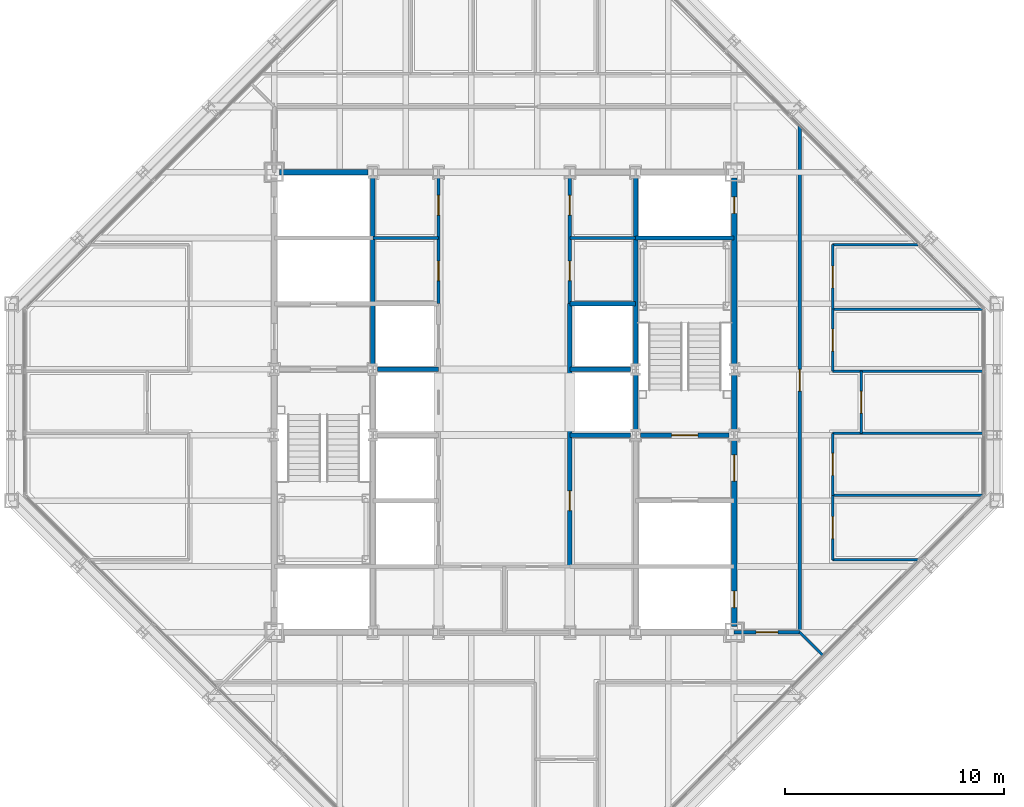
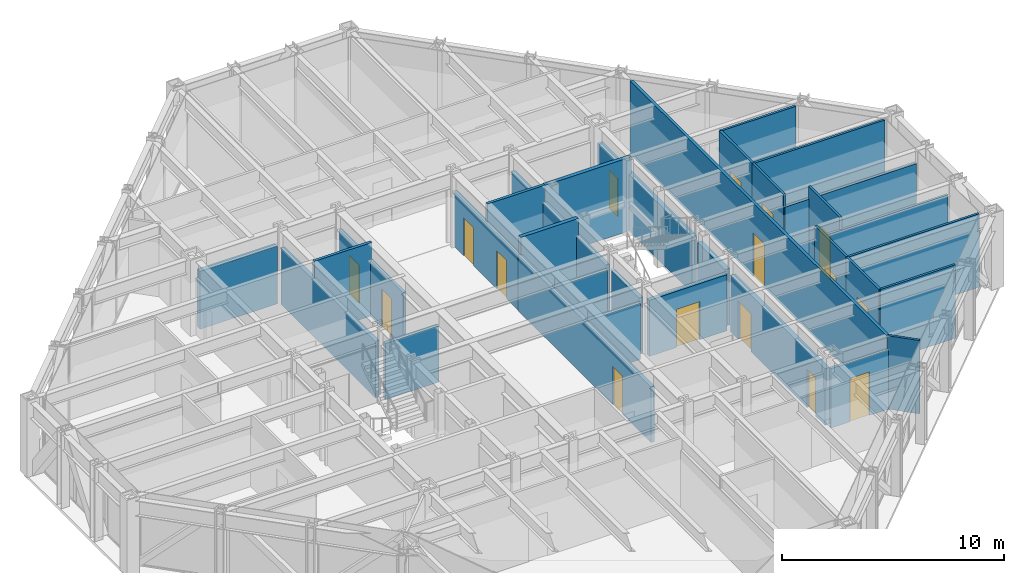
# One storey, part 11 of 15: 32 walls, 16 doors, 16 openings.
"""IFC4 building model written with IfcOpenShell, lengths in metres."""

from ifc_helpers import new_model, si_unit, direction, frame, frame_2d, origin, place, context, subcontext, project, spatial, rectangle, extrude, material, layer, layer_set, type_object, element, fill, save


model = new_model("IFC4")

# Units and contexts
model_context = context("Model", 3, precision=1e-05, world=origin(), true_north=direction((0.0, 1.0)))
body_context = subcontext(model_context, "Body", "Model", "MODEL_VIEW")
ifc_project = project(units=[si_unit("LENGTHUNIT", "METRE"), si_unit("AREAUNIT", "SQUARE_METRE"), si_unit("VOLUMEUNIT", "CUBIC_METRE"), si_unit("PLANEANGLEUNIT", "RADIAN"), si_unit("MASSUNIT", "GRAM", prefix="KILO")], contexts=[model_context])

# Site, building, storey
site_placement = place(None, origin())
site = spatial("IfcSite", under=ifc_project, at=site_placement, CompositionType="ELEMENT")
building_placement = place(site_placement, origin())
building = spatial("IfcBuilding", under=site, at=building_placement, Name="Chuquiago Exchange Tower", CompositionType="ELEMENT")
storey_placement = place(building_placement, frame((0.0, 0.0, 279.0)))
storey = spatial("IfcBuildingStorey", under=building, at=storey_placement, Name="L62", CompositionType="ELEMENT", Elevation=279.0)

# Wall
ifc_material_1 = material(Name="Concrete masonry, fully grouted", Category="masonry")
ifc_layer_1 = layer(ifc_material_1, 0.25)
ifc_layer_set_1 = layer_set([ifc_layer_1], Name="W1 core wall 250")
wall_type_1 = type_object("IfcWallType", Name="W1 core wall 250", PredefinedType="SOLIDWALL", material=ifc_layer_set_1)
wall_1_placement = place(storey_placement, frame((12.25, 33.0, 0.0), z_axis=(0.0, 0.0, 1.0), x_axis=(1.0, 0.0, 0.0)))
element("IfcWall", 1, at=wall_1_placement, inside=storey, type_object=wall_type_1, Name="CW-L62-11-0", PredefinedType="SOLIDWALL", context=body_context, shape_type="SweptSolid", body=[
    extrude(rectangle(XDim=4.025146484375, YDim=0.25, at=frame_2d((2.0126953125, 0.0))), origin(), (0.0, 0.0, 1.0), 3.181396484375),
])

# Wall, openings, doors
wall_2_placement = place(storey_placement, frame((33.0, 12.25, 0.0), z_axis=(0.0, 0.0, 1.0), x_axis=(0.0, 1.0, 0.0)))
wall_2 = element("IfcWall", 2, at=wall_2_placement, inside=storey, type_object=wall_type_1, Name="CW-L62-25-0", PredefinedType="SOLIDWALL", context=body_context, shape_type="SweptSolid", body=[
    extrude(rectangle(XDim=8.5, YDim=0.25, at=frame_2d((4.25, 0.0))), origin(), (0.0, 0.0, 1.0), 3.11279296875),
])
opening_1_placement = place(wall_2_placement, frame((6.64990234375, 0.0, 0.0)))
opening_1 = element("IfcOpeningElement", 3, at=opening_1_placement, cuts=wall_2, Name="Opening L62-004", PredefinedType="OPENING", context=body_context, shape_type="SweptSolid", body=[
    extrude(rectangle(XDim=1.199951171875, YDim=2.10009765625, at=frame_2d((0.60009765625, 1.050048828125))), frame((0.0, 0.135009765625, 0.0), z_axis=(0.0, -1.0, 0.0), x_axis=(1.0, 0.0, 0.0)), (0.0, 0.0, 1.0), 0.27001953125),
])
opening_2_placement = place(wall_2_placement, frame((0.875, 0.0, 0.0)))
opening_2 = element("IfcOpeningElement", 4, at=opening_2_placement, cuts=wall_2, Name="Opening L62-009", PredefinedType="OPENING", context=body_context, shape_type="SweptSolid", body=[
    extrude(rectangle(XDim=0.75, YDim=2.10009765625, at=frame_2d((0.375, 1.050048828125))), frame((0.0, 0.135009765625, 0.0), z_axis=(0.0, -1.0, 0.0), x_axis=(1.0, 0.0, 0.0)), (0.0, 0.0, 1.0), 0.27001953125),
])
ifc_material_2 = material(Name="Steel door, painted", Category="steel")
door_type_1 = type_object("IfcDoorType", Name="D5 firefighting lobby door 1200x2100", OperationType="SINGLE_SWING_LEFT", PredefinedType="DOOR", material=ifc_material_2)
door_1_placement = place(opening_1_placement, origin())
door_1 = element("IfcDoor", 5, at=door_1_placement, inside=storey, type_object=door_type_1, Name="Firefighting lobby 2 door", OperationType="SINGLE_SWING_RIGHT", OverallHeight=2.10009765625, OverallWidth=1.199951171875, PredefinedType="DOOR", context=body_context, shape_type="SweptSolid", body=[
    extrude(rectangle(XDim=1.199951171875, YDim=2.10009765625, at=frame_2d((0.60009765625, 1.050048828125))), frame((0.0, 0.02490234375, 0.0), z_axis=(0.0, -1.0, 0.0), x_axis=(1.0, 0.0, 0.0)), (0.0, 0.0, 1.0), 0.050048828125),
])
fill(opening_1, door_1)
ifc_material_3 = material(Name="Steel door, painted", Category="steel")
door_type_2 = type_object("IfcDoorType", Name="D6 riser access door 750x2100", OperationType="SINGLE_SWING_LEFT", PredefinedType="DOOR", material=ifc_material_3)
door_2_placement = place(opening_2_placement, frame((0.75, 0.0, 0.0), z_axis=(0.0, 0.0, 1.0), x_axis=(-1.0, 0.0, 0.0)))
door_2 = element("IfcDoor", 6, at=door_2_placement, inside=storey, type_object=door_type_2, Name="Riser RE1 door", OperationType="SINGLE_SWING_RIGHT", OverallHeight=2.10009765625, OverallWidth=0.75, PredefinedType="DOOR", context=body_context, shape_type="SweptSolid", body=[
    extrude(rectangle(XDim=0.75, YDim=2.10009765625, at=frame_2d((0.375, 1.050048828125))), frame((0.0, 0.02490234375, 0.0), z_axis=(0.0, -1.0, 0.0), x_axis=(1.0, 0.0, 0.0)), (0.0, 0.0, 1.0), 0.050048828125),
])
fill(opening_2, door_2)

# Wall
wall_3_placement = place(storey_placement, frame((33.0, 21.25, 0.0), z_axis=(0.0, 0.0, 1.0), x_axis=(0.0, 1.0, 0.0)))
element("IfcWall", 7, at=wall_3_placement, inside=storey, type_object=wall_type_1, Name="CW-L62-25-1", PredefinedType="SOLIDWALL", context=body_context, shape_type="SweptSolid", body=[
    extrude(rectangle(XDim=2.5, YDim=0.25, at=frame_2d((1.25, 0.0))), origin(), (0.0, 0.0, 1.0), 3.11279296875),
])

# Wall, opening, door
wall_4_placement = place(storey_placement, frame((33.0, 24.25, 0.0), z_axis=(0.0, 0.0, 1.0), x_axis=(0.0, 1.0, 0.0)))
wall_4 = element("IfcWall", 8, at=wall_4_placement, inside=storey, type_object=wall_type_1, Name="CW-L62-25-2", PredefinedType="SOLIDWALL", context=body_context, shape_type="SweptSolid", body=[
    extrude(rectangle(XDim=8.5, YDim=0.25, at=frame_2d((4.25, 0.0))), origin(), (0.0, 0.0, 1.0), 3.11279296875),
])
opening_3_placement = place(wall_4_placement, frame((6.875, 0.0, 0.0)))
opening_3 = element("IfcOpeningElement", 9, at=opening_3_placement, cuts=wall_4, Name="Opening L62-010", PredefinedType="OPENING", context=body_context, shape_type="SweptSolid", body=[
    extrude(rectangle(XDim=0.75, YDim=2.10009765625, at=frame_2d((0.375, 1.050048828125))), frame((0.0, 0.135009765625, 0.0), z_axis=(0.0, -1.0, 0.0), x_axis=(1.0, 0.0, 0.0)), (0.0, 0.0, 1.0), 0.27001953125),
])
door_3_placement = place(opening_3_placement, frame((0.75, 0.0, 0.0), z_axis=(0.0, 0.0, 1.0), x_axis=(-1.0, 0.0, 0.0)))
door_3 = element("IfcDoor", 10, at=door_3_placement, inside=storey, type_object=door_type_2, Name="Riser RE2 door", OperationType="SINGLE_SWING_LEFT", OverallHeight=2.10009765625, OverallWidth=0.75, PredefinedType="DOOR", context=body_context, shape_type="SweptSolid", body=[
    extrude(rectangle(XDim=0.75, YDim=2.10009765625, at=frame_2d((0.375, 1.050048828125))), frame((0.0, 0.02490234375, 0.0), z_axis=(0.0, -1.0, 0.0), x_axis=(1.0, 0.0, 0.0)), (0.0, 0.0, 1.0), 0.050048828125),
])
fill(opening_3, door_3)

ifc_material_4 = material(Name="Gypsum board on steel studs, acoustic insulation", Category="steel")
ifc_layer_2 = layer(ifc_material_4, 0.14990234375)
ifc_layer_set_2 = layer_set([ifc_layer_2], Name="W11 corridor wall 150")
wall_type_2 = type_object("IfcWallType", Name="W11 corridor wall 150", PredefinedType="PARTITIONING", material=ifc_layer_set_2)
wall_5_placement = place(storey_placement, frame((36.0, 12.0, 0.0), z_axis=(0.0, 0.0, 1.0), x_axis=(0.0, 1.0, 0.0)))
wall_5 = element("IfcWall", 11, at=wall_5_placement, inside=storey, type_object=wall_type_2, Name="PW-L62-GE0", PredefinedType="PARTITIONING", context=body_context, shape_type="SweptSolid", body=[
    extrude(rectangle(XDim=23.114501953125, YDim=0.14990234375, at=frame_2d((11.55712890625, 0.0))), origin(), (0.0, 0.0, 1.0), 4.0400390625),
])
opening_4_placement = place(wall_5_placement, frame((11.005615234375, 0.0, 0.0)))
opening_4 = element("IfcOpeningElement", 12, at=opening_4_placement, cuts=wall_5, Name="Opening L62-039", PredefinedType="OPENING", context=body_context, shape_type="SweptSolid", body=[
    extrude(rectangle(XDim=1.0, YDim=2.39990234375, at=frame_2d((0.5, 1.199951171875))), frame((0.0, 0.0849609375, 0.0), z_axis=(0.0, -1.0, 0.0), x_axis=(1.0, 0.0, 0.0)), (0.0, 0.0, 1.0), 0.169921875),
])
ifc_material_5 = material(Name="Timber door, laminate faced", Category="wood")
door_type_3 = type_object("IfcDoorType", Name="D9 room door 1000x2400", OperationType="SINGLE_SWING_LEFT", PredefinedType="DOOR", material=ifc_material_5)
door_4_placement = place(opening_4_placement, frame((1.0, 0.0, 0.0), z_axis=(0.0, 0.0, 1.0), x_axis=(-1.0, 0.0, 0.0)))
door_4 = element("IfcDoor", 13, at=door_4_placement, inside=storey, type_object=door_type_3, Name="Team area door", OperationType="SINGLE_SWING_RIGHT", OverallHeight=2.39990234375, OverallWidth=1.0, PredefinedType="DOOR", context=body_context, shape_type="SweptSolid", body=[
    extrude(rectangle(XDim=1.0, YDim=2.39990234375, at=frame_2d((0.5, 1.199951171875))), frame((0.0, 0.02490234375, 0.0), z_axis=(0.0, -1.0, 0.0), x_axis=(1.0, 0.0, 0.0)), (0.0, 0.0, 1.0), 0.050048828125),
])
fill(opening_4, door_4)

wall_6_placement = place(storey_placement, frame((33.0, 12.0, 0.0), z_axis=(0.0, 0.0, 1.0), x_axis=(1.0, 0.0, 0.0)))
wall_6 = element("IfcWall", 14, at=wall_6_placement, inside=storey, type_object=wall_type_2, Name="PW-L62-GES0", PredefinedType="PARTITIONING", context=body_context, shape_type="SweptSolid", body=[
    extrude(rectangle(XDim=3.0, YDim=0.14990234375, at=frame_2d((1.5, 0.0))), origin(), (0.0, 0.0, 1.0), 3.2705078125),
])
opening_5_placement = place(wall_6_placement, frame((1.0, 0.0, 0.0)))
opening_5 = element("IfcOpeningElement", 15, at=opening_5_placement, cuts=wall_6, Name="Opening L62-040", PredefinedType="OPENING", context=body_context, shape_type="SweptSolid", body=[
    extrude(rectangle(XDim=1.0, YDim=2.39990234375, at=frame_2d((0.5, 1.199951171875))), frame((0.0, 0.0849609375, 0.0), z_axis=(0.0, -1.0, 0.0), x_axis=(1.0, 0.0, 0.0)), (0.0, 0.0, 1.0), 0.169921875),
])
door_5_placement = place(opening_5_placement, frame((1.0, 0.0, 0.0), z_axis=(0.0, 0.0, 1.0), x_axis=(-1.0, 0.0, 0.0)))
door_5 = element("IfcDoor", 16, at=door_5_placement, inside=storey, type_object=door_type_3, Name="Team area door", OperationType="SINGLE_SWING_RIGHT", OverallHeight=2.39990234375, OverallWidth=1.0, PredefinedType="DOOR", context=body_context, shape_type="SweptSolid", body=[
    extrude(rectangle(XDim=1.0, YDim=2.39990234375, at=frame_2d((0.5, 1.199951171875))), frame((0.0, 0.02490234375, 0.0), z_axis=(0.0, -1.0, 0.0), x_axis=(1.0, 0.0, 0.0)), (0.0, 0.0, 1.0), 0.050048828125),
])
fill(opening_5, door_5)

# Walls
ifc_material_6 = material(Name="Concrete masonry, fully grouted", Category="masonry")
ifc_layer_3 = layer(ifc_material_6, 0.199951171875)
ifc_layer_set_3 = layer_set([ifc_layer_3], Name="W2 shaft wall 200")
wall_type_3 = type_object("IfcWallType", Name="W2 shaft wall 200", PredefinedType="SOLIDWALL", material=ifc_layer_set_3)
for number, where, z_axis, x_axis, name in (
    (17, (16.724853515625, 24.0, 0.0), (0.0, 0.0, 1.0), (1.0, 0.0, 0.0), "CW-L62-05-1"),
    (18, (25.5, 24.0, 0.0), (0.0, 0.0, 1.0), (1.0, 0.0, 0.0), "CW-L62-06-0"),
):
    element("IfcWall", number, at=place(storey_placement, frame(where, z_axis=z_axis, x_axis=x_axis)), inside=storey, type_object=wall_type_3, Name=name, PredefinedType="SOLIDWALL", context=body_context, shape_type="SweptSolid", body=[
        extrude(rectangle(XDim=2.775146484375, YDim=0.199951171875, at=frame_2d((1.3876953125, 0.0))), origin(), (0.0, 0.0, 1.0), 3.090087890625),
    ])
wall_7_placement = place(storey_placement, frame((25.5, 27.0, 0.0), z_axis=(0.0, 0.0, 1.0), x_axis=(1.0, 0.0, 0.0)))
element("IfcWall", 19, at=wall_7_placement, inside=storey, type_object=wall_type_3, Name="CW-L62-08-0", PredefinedType="SOLIDWALL", context=body_context, shape_type="SweptSolid", body=[
    extrude(rectangle(XDim=3.0, YDim=0.199951171875, at=frame_2d((1.5, 0.0))), origin(), (0.0, 0.0, 1.0), 4.0400390625),
])
wall_8_placement = place(storey_placement, frame((28.5, 30.0, 0.0), z_axis=(0.0, 0.0, 1.0), x_axis=(1.0, 0.0, 0.0)))
element("IfcWall", 20, at=wall_8_placement, inside=storey, type_object=wall_type_3, Name="CW-L62-10-0", PredefinedType="SOLIDWALL", context=body_context, shape_type="SweptSolid", body=[
    extrude(rectangle(XDim=4.5, YDim=0.199951171875, at=frame_2d((2.25, 0.0))), origin(), (0.0, 0.0, 1.0), 4.0400390625),
])
wall_9_placement = place(storey_placement, frame((16.5, 24.25, 0.0), z_axis=(0.0, 0.0, 1.0), x_axis=(0.0, 1.0, 0.0)))
element("IfcWall", 21, at=wall_9_placement, inside=storey, type_object=wall_type_3, Name="CW-L62-13-2", PredefinedType="SOLIDWALL", context=body_context, shape_type="SweptSolid", body=[
    extrude(rectangle(XDim=8.5, YDim=0.199951171875, at=frame_2d((4.25, 0.0))), origin(), (0.0, 0.0, 1.0), 3.11279296875),
])
wall_10_placement = place(storey_placement, frame((25.5, 21.0, 0.0), z_axis=(0.0, 0.0, 1.0), x_axis=(1.0, 0.0, 0.0)))
element("IfcWall", 22, at=wall_10_placement, inside=storey, type_object=wall_type_3, Name="CW-L62-17-0", PredefinedType="SOLIDWALL", context=body_context, shape_type="SweptSolid", body=[
    extrude(rectangle(XDim=2.775146484375, YDim=0.199951171875, at=frame_2d((1.3876953125, 0.0))), origin(), (0.0, 0.0, 1.0), 3.090087890625),
])

# Wall, opening, door
wall_11_placement = place(storey_placement, frame((28.724853515625, 21.0, 0.0), z_axis=(0.0, 0.0, 1.0), x_axis=(1.0, 0.0, 0.0)))
wall_11 = element("IfcWall", 23, at=wall_11_placement, inside=storey, type_object=wall_type_3, Name="CW-L62-17-1", PredefinedType="SOLIDWALL", context=body_context, shape_type="SweptSolid", body=[
    extrude(rectangle(XDim=4.05029296875, YDim=0.199951171875, at=frame_2d((2.025146484375, 0.0))), origin(), (0.0, 0.0, 1.0), 3.090087890625),
])
opening_6_placement = place(wall_11_placement, frame((1.42529296875, 0.0, 0.0)))
opening_6 = element("IfcOpeningElement", 24, at=opening_6_placement, cuts=wall_11, Name="Opening L62-003", PredefinedType="OPENING", context=body_context, shape_type="SweptSolid", body=[
    extrude(rectangle(XDim=1.199951171875, YDim=2.10009765625, at=frame_2d((0.60009765625, 1.050048828125))), frame((0.0, 0.10986328125, 0.0), z_axis=(0.0, -1.0, 0.0), x_axis=(1.0, 0.0, 0.0)), (0.0, 0.0, 1.0), 0.219970703125),
])
ifc_material_7 = material(Name="Steel door, painted", Category="steel")
door_type_4 = type_object("IfcDoorType", Name="D4 stair door 1200x2100", OperationType="SINGLE_SWING_LEFT", PredefinedType="DOOR", material=ifc_material_7)
door_6_placement = place(opening_6_placement, origin())
door_6 = element("IfcDoor", 25, at=door_6_placement, inside=storey, type_object=door_type_4, Name="Stair ST2 door", OperationType="SINGLE_SWING_RIGHT", OverallHeight=2.10009765625, OverallWidth=1.199951171875, PredefinedType="DOOR", context=body_context, shape_type="SweptSolid", body=[
    extrude(rectangle(XDim=1.199951171875, YDim=2.10009765625, at=frame_2d((0.60009765625, 1.050048828125))), frame((0.0, 0.02490234375, 0.0), z_axis=(0.0, -1.0, 0.0), x_axis=(1.0, 0.0, 0.0)), (0.0, 0.0, 1.0), 0.050048828125),
])
fill(opening_6, door_6)

wall_12_placement = place(storey_placement, frame((25.5, 15.0, 0.0), z_axis=(0.0, 0.0, 1.0), x_axis=(0.0, 1.0, 0.0)))
wall_12 = element("IfcWall", 26, at=wall_12_placement, inside=storey, type_object=wall_type_3, Name="CW-L62-22-0", PredefinedType="SOLIDWALL", context=body_context, shape_type="SweptSolid", body=[
    extrude(rectangle(XDim=12.0, YDim=0.199951171875, at=frame_2d((6.0, 0.0))), origin(), (0.0, 0.0, 1.0), 3.064697265625),
])
opening_7_placement = place(wall_12_placement, frame((2.550048828125, 0.0, 0.0)))
opening_7 = element("IfcOpeningElement", 27, at=opening_7_placement, cuts=wall_12, Name="Opening L62-016", PredefinedType="OPENING", context=body_context, shape_type="SweptSolid", body=[
    extrude(rectangle(XDim=0.89990234375, YDim=2.10009765625, at=frame_2d((0.449951171875, 1.050048828125))), frame((0.0, 0.10986328125, 0.0), z_axis=(0.0, -1.0, 0.0), x_axis=(1.0, 0.0, 0.0)), (0.0, 0.0, 1.0), 0.219970703125),
])
ifc_material_8 = material(Name="Timber door, laminate faced", Category="wood")
door_type_5 = type_object("IfcDoorType", Name="D16 core room door 900x2100", OperationType="SINGLE_SWING_LEFT", PredefinedType="DOOR", material=ifc_material_8)
door_7_placement = place(opening_7_placement, frame((0.89990234375, 0.0, 0.0), z_axis=(0.0, 0.0, 1.0), x_axis=(-1.0, 0.0, 0.0)))
door_7 = element("IfcDoor", 28, at=door_7_placement, inside=storey, type_object=door_type_5, Name="Secretariat archive store door", OperationType="SINGLE_SWING_RIGHT", OverallHeight=2.10009765625, OverallWidth=0.89990234375, PredefinedType="DOOR", context=body_context, shape_type="SweptSolid", body=[
    extrude(rectangle(XDim=0.89990234375, YDim=2.10009765625, at=frame_2d((0.449951171875, 1.050048828125))), frame((0.0, 0.02490234375, 0.0), z_axis=(0.0, -1.0, 0.0), x_axis=(1.0, 0.0, 0.0)), (0.0, 0.0, 1.0), 0.050048828125),
])
fill(opening_7, door_7)

# Walls
wall_13_placement = place(storey_placement, frame((28.5, 21.25, 0.0), z_axis=(0.0, 0.0, 1.0), x_axis=(0.0, 1.0, 0.0)))
element("IfcWall", 29, at=wall_13_placement, inside=storey, type_object=wall_type_3, Name="CW-L62-24-1", PredefinedType="SOLIDWALL", context=body_context, shape_type="SweptSolid", body=[
    extrude(rectangle(XDim=2.5, YDim=0.199951171875, at=frame_2d((1.25, 0.0))), origin(), (0.0, 0.0, 1.0), 3.11279296875),
])
wall_14_placement = place(storey_placement, frame((28.5, 24.25, 0.0), z_axis=(0.0, 0.0, 1.0), x_axis=(0.0, 1.0, 0.0)))
element("IfcWall", 30, at=wall_14_placement, inside=storey, type_object=wall_type_3, Name="CW-L62-24-2", PredefinedType="SOLIDWALL", context=body_context, shape_type="SweptSolid", body=[
    extrude(rectangle(XDim=8.5, YDim=0.199951171875, at=frame_2d((4.25, 0.0))), origin(), (0.0, 0.0, 1.0), 3.11279296875),
])

# Wall, openings, doors
ifc_material_9 = material(Name="Gypsum board on steel studs", Category="steel")
ifc_layer_4 = layer(ifc_material_9, 0.14990234375)
ifc_layer_set_4 = layer_set([ifc_layer_4], Name="W3 core partition 150")
wall_type_4 = type_object("IfcWallType", Name="W3 core partition 150", PredefinedType="PARTITIONING", material=ifc_layer_set_4)
wall_15_placement = place(storey_placement, frame((19.5, 27.0, 0.0), z_axis=(0.0, 0.0, 1.0), x_axis=(0.0, 1.0, 0.0)))
wall_15 = element("IfcWall", 31, at=wall_15_placement, inside=storey, type_object=wall_type_4, Name="CW-L62-20-0", PredefinedType="PARTITIONING", context=body_context, shape_type="SweptSolid", body=[
    extrude(rectangle(XDim=5.75, YDim=0.14990234375, at=frame_2d((2.875, 0.0))), origin(), (0.0, 0.0, 1.0), 3.064697265625),
])
opening_8_placement = place(wall_15_placement, frame((1.050048828125, 0.0, 0.0)))
opening_8 = element("IfcOpeningElement", 32, at=opening_8_placement, cuts=wall_15, Name="Opening L62-011", PredefinedType="OPENING", context=body_context, shape_type="SweptSolid", body=[
    extrude(rectangle(XDim=0.89990234375, YDim=2.10009765625, at=frame_2d((0.449951171875, 1.050048828125))), frame((0.0, 0.0849609375, 0.0), z_axis=(0.0, -1.0, 0.0), x_axis=(1.0, 0.0, 0.0)), (0.0, 0.0, 1.0), 0.169921875),
])
opening_9_placement = place(wall_15_placement, frame((4.050048828125, 0.0, 0.0)))
opening_9 = element("IfcOpeningElement", 33, at=opening_9_placement, cuts=wall_15, Name="Opening L62-012", PredefinedType="OPENING", context=body_context, shape_type="SweptSolid", body=[
    extrude(rectangle(XDim=0.89990234375, YDim=2.10009765625, at=frame_2d((0.449951171875, 1.050048828125))), frame((0.0, 0.0849609375, 0.0), z_axis=(0.0, -1.0, 0.0), x_axis=(1.0, 0.0, 0.0)), (0.0, 0.0, 1.0), 0.169921875),
])
door_8_placement = place(opening_9_placement, origin())
door_8 = element("IfcDoor", 34, at=door_8_placement, inside=storey, type_object=door_type_5, Name="Staff shower room door", OperationType="SINGLE_SWING_RIGHT", OverallHeight=2.10009765625, OverallWidth=0.89990234375, PredefinedType="DOOR", context=body_context, shape_type="SweptSolid", body=[
    extrude(rectangle(XDim=0.89990234375, YDim=2.10009765625, at=frame_2d((0.449951171875, 1.050048828125))), frame((0.0, 0.02490234375, 0.0), z_axis=(0.0, -1.0, 0.0), x_axis=(1.0, 0.0, 0.0)), (0.0, 0.0, 1.0), 0.050048828125),
])
fill(opening_9, door_8)
ifc_material_10 = material(Name="Timber door, laminate faced", Category="wood")
door_type_6 = type_object("IfcDoorType", Name="D7 toilet door 900x2100", OperationType="SINGLE_SWING_LEFT", PredefinedType="DOOR", material=ifc_material_10)
door_9_placement = place(opening_8_placement, origin())
door_9 = element("IfcDoor", 35, at=door_9_placement, inside=storey, type_object=door_type_6, Name="Male WC door", OperationType="SINGLE_SWING_LEFT", OverallHeight=2.10009765625, OverallWidth=0.89990234375, PredefinedType="DOOR", context=body_context, shape_type="SweptSolid", body=[
    extrude(rectangle(XDim=0.89990234375, YDim=2.10009765625, at=frame_2d((0.449951171875, 1.050048828125))), frame((0.0, 0.02490234375, 0.0), z_axis=(0.0, -1.0, 0.0), x_axis=(1.0, 0.0, 0.0)), (0.0, 0.0, 1.0), 0.050048828125),
])
fill(opening_8, door_9)

wall_16_placement = place(storey_placement, frame((25.5, 27.0, 0.0), z_axis=(0.0, 0.0, 1.0), x_axis=(0.0, 1.0, 0.0)))
wall_16 = element("IfcWall", 36, at=wall_16_placement, inside=storey, type_object=wall_type_4, Name="CW-L62-23-0", PredefinedType="PARTITIONING", context=body_context, shape_type="SweptSolid", body=[
    extrude(rectangle(XDim=5.75, YDim=0.14990234375, at=frame_2d((2.875, 0.0))), origin(), (0.0, 0.0, 1.0), 3.064697265625),
])
opening_10_placement = place(wall_16_placement, frame((1.050048828125, 0.0, 0.0)))
opening_10 = element("IfcOpeningElement", 37, at=opening_10_placement, cuts=wall_16, Name="Opening L62-013", PredefinedType="OPENING", context=body_context, shape_type="SweptSolid", body=[
    extrude(rectangle(XDim=0.89990234375, YDim=2.10009765625, at=frame_2d((0.449951171875, 1.050048828125))), frame((0.0, 0.0849609375, 0.0), z_axis=(0.0, -1.0, 0.0), x_axis=(1.0, 0.0, 0.0)), (0.0, 0.0, 1.0), 0.169921875),
])
opening_11_placement = place(wall_16_placement, frame((4.050048828125, 0.0, 0.0)))
opening_11 = element("IfcOpeningElement", 38, at=opening_11_placement, cuts=wall_16, Name="Opening L62-014", PredefinedType="OPENING", context=body_context, shape_type="SweptSolid", body=[
    extrude(rectangle(XDim=0.89990234375, YDim=2.10009765625, at=frame_2d((0.449951171875, 1.050048828125))), frame((0.0, 0.0849609375, 0.0), z_axis=(0.0, -1.0, 0.0), x_axis=(1.0, 0.0, 0.0)), (0.0, 0.0, 1.0), 0.169921875),
])
door_10_placement = place(opening_11_placement, frame((0.89990234375, 0.0, 0.0), z_axis=(0.0, 0.0, 1.0), x_axis=(-1.0, 0.0, 0.0)))
door_10 = element("IfcDoor", 39, at=door_10_placement, inside=storey, type_object=door_type_5, Name="Baby change room door", OperationType="SINGLE_SWING_LEFT", OverallHeight=2.10009765625, OverallWidth=0.89990234375, PredefinedType="DOOR", context=body_context, shape_type="SweptSolid", body=[
    extrude(rectangle(XDim=0.89990234375, YDim=2.10009765625, at=frame_2d((0.449951171875, 1.050048828125))), frame((0.0, 0.02490234375, 0.0), z_axis=(0.0, -1.0, 0.0), x_axis=(1.0, 0.0, 0.0)), (0.0, 0.0, 1.0), 0.050048828125),
])
fill(opening_11, door_10)
door_11_placement = place(opening_10_placement, frame((0.89990234375, 0.0, 0.0), z_axis=(0.0, 0.0, 1.0), x_axis=(-1.0, 0.0, 0.0)))
door_11 = element("IfcDoor", 40, at=door_11_placement, inside=storey, type_object=door_type_6, Name="Female WC door", OperationType="SINGLE_SWING_RIGHT", OverallHeight=2.10009765625, OverallWidth=0.89990234375, PredefinedType="DOOR", context=body_context, shape_type="SweptSolid", body=[
    extrude(rectangle(XDim=0.89990234375, YDim=2.10009765625, at=frame_2d((0.449951171875, 1.050048828125))), frame((0.0, 0.02490234375, 0.0), z_axis=(0.0, -1.0, 0.0), x_axis=(1.0, 0.0, 0.0)), (0.0, 0.0, 1.0), 0.050048828125),
])
fill(opening_10, door_11)

# Walls
for number, where, z_axis, x_axis, name in (
    (41, (16.5, 30.0, 0.0), (0.0, 0.0, 1.0), (1.0, 0.0, 0.0), "CW-L62-WCMS"),
    (42, (25.5, 30.0, 0.0), (0.0, 0.0, 1.0), (1.0, 0.0, 0.0), "CW-L62-WCFS"),
):
    element("IfcWall", number, at=place(storey_placement, frame(where, z_axis=z_axis, x_axis=x_axis)), inside=storey, type_object=wall_type_4, Name=name, PredefinedType="PARTITIONING", context=body_context, shape_type="SweptSolid", body=[
        extrude(rectangle(XDim=3.0, YDim=0.14990234375, at=frame_2d((1.5, 0.0))), origin(), (0.0, 0.0, 1.0), 4.0400390625),
    ])
ifc_material_11 = material(Name="Gypsum board on steel studs", Category="steel")
ifc_layer_5 = layer(ifc_material_11, 0.1201171875)
ifc_layer_set_5 = layer_set([ifc_layer_5], Name="W4 partition 120")
wall_type_5 = type_object("IfcWallType", Name="W4 partition 120", PredefinedType="PARTITIONING", material=ifc_layer_set_5)
wall_17_placement = place(storey_placement, frame((41.392578125, 15.30712890625, 0.0), z_axis=(0.0, 0.0, 1.0), x_axis=(-1.0, 0.0, 0.0)))
element("IfcWall", 43, at=wall_17_placement, inside=storey, type_object=wall_type_5, Name="PW-L62-E01531", PredefinedType="PARTITIONING", context=body_context, shape_type="SweptSolid", body=[
    extrude(rectangle(XDim=3.892578125, YDim=0.1201171875, at=frame_2d((1.9462890625, 0.0))), origin(), (0.0, 0.0, 1.0), 4.0400390625),
])
wall_18_placement = place(storey_placement, frame((44.333984375, 18.24853515625, 0.0), z_axis=(0.0, 0.0, 1.0), x_axis=(-1.0, 0.0, 0.0)))
element("IfcWall", 44, at=wall_18_placement, inside=storey, type_object=wall_type_5, Name="PW-L62-E01825", PredefinedType="PARTITIONING", context=body_context, shape_type="SweptSolid", body=[
    extrude(rectangle(XDim=6.833984375, YDim=0.1201171875, at=frame_2d((3.4169921875, 0.0))), origin(), (0.0, 0.0, 1.0), 4.0400390625),
])
for number, where, z_axis, x_axis, name in (
    (45, (44.347412109375, 21.082763671875, 0.0), (0.0, 0.0, 1.0), (-1.0, 0.0, 0.0), "PW-L62-E02108"),
    (46, (44.347412109375, 23.917236328125, 0.0), (0.0, 0.0, 1.0), (-1.0, 0.0, 0.0), "PW-L62-E02392"),
):
    element("IfcWall", number, at=place(storey_placement, frame(where, z_axis=z_axis, x_axis=x_axis)), inside=storey, type_object=wall_type_5, Name=name, PredefinedType="PARTITIONING", context=body_context, shape_type="SweptSolid", body=[
        extrude(rectangle(XDim=6.847412109375, YDim=0.1201171875, at=frame_2d((3.423828125, 0.0))), origin(), (0.0, 0.0, 1.0), 3.356689453125),
    ])
wall_19_placement = place(storey_placement, frame((44.333984375, 26.75146484375, 0.0), z_axis=(0.0, 0.0, 1.0), x_axis=(-1.0, 0.0, 0.0)))
element("IfcWall", 47, at=wall_19_placement, inside=storey, type_object=wall_type_5, Name="PW-L62-E02675", PredefinedType="PARTITIONING", context=body_context, shape_type="SweptSolid", body=[
    extrude(rectangle(XDim=6.833984375, YDim=0.1201171875, at=frame_2d((3.4169921875, 0.0))), origin(), (0.0, 0.0, 1.0), 4.0400390625),
])
wall_20_placement = place(storey_placement, frame((41.392578125, 29.69287109375, 0.0), z_axis=(0.0, 0.0, 1.0), x_axis=(-1.0, 0.0, 0.0)))
element("IfcWall", 48, at=wall_20_placement, inside=storey, type_object=wall_type_5, Name="PW-L62-E02969", PredefinedType="PARTITIONING", context=body_context, shape_type="SweptSolid", body=[
    extrude(rectangle(XDim=3.892578125, YDim=0.1201171875, at=frame_2d((1.9462890625, 0.0))), origin(), (0.0, 0.0, 1.0), 4.0400390625),
])

# Wall, opening, door
wall_21_placement = place(storey_placement, frame((37.5, 15.30712890625, 0.0), z_axis=(0.0, 0.0, 1.0), x_axis=(0.0, 1.0, 0.0)))
wall_21 = element("IfcWall", 49, at=wall_21_placement, inside=storey, type_object=wall_type_5, Name="PW-L62-EF01531", PredefinedType="PARTITIONING", context=body_context, shape_type="SweptSolid", body=[
    extrude(rectangle(XDim=2.94140625, YDim=0.1201171875, at=frame_2d((1.470703125, 0.0))), origin(), (0.0, 0.0, 1.0), 4.0400390625),
])
opening_12_placement = place(wall_21_placement, frame((0.970703125, 0.0, 0.0)))
opening_12 = element("IfcOpeningElement", 50, at=opening_12_placement, cuts=wall_21, Name="Opening L62-025", PredefinedType="OPENING", context=body_context, shape_type="SweptSolid", body=[
    extrude(rectangle(XDim=1.0, YDim=2.39990234375, at=frame_2d((0.5, 1.199951171875))), frame((0.0, 0.070068359375, 0.0), z_axis=(0.0, -1.0, 0.0), x_axis=(1.0, 0.0, 0.0)), (0.0, 0.0, 1.0), 0.14013671875),
])
door_12_placement = place(opening_12_placement, frame((1.0, 0.0, 0.0), z_axis=(0.0, 0.0, 1.0), x_axis=(-1.0, 0.0, 0.0)))
door_12 = element("IfcDoor", 51, at=door_12_placement, inside=storey, type_object=door_type_3, Name="Office door", OperationType="SINGLE_SWING_LEFT", OverallHeight=2.39990234375, OverallWidth=1.0, PredefinedType="DOOR", context=body_context, shape_type="SweptSolid", body=[
    extrude(rectangle(XDim=1.0, YDim=2.39990234375, at=frame_2d((0.5, 1.199951171875))), frame((0.0, 0.02490234375, 0.0), z_axis=(0.0, -1.0, 0.0), x_axis=(1.0, 0.0, 0.0)), (0.0, 0.0, 1.0), 0.050048828125),
])
fill(opening_12, door_12)

wall_22_placement = place(storey_placement, frame((37.5, 18.24853515625, 0.0), z_axis=(0.0, 0.0, 1.0), x_axis=(0.0, 1.0, 0.0)))
wall_22 = element("IfcWall", 52, at=wall_22_placement, inside=storey, type_object=wall_type_5, Name="PW-L62-EF01825", PredefinedType="PARTITIONING", context=body_context, shape_type="SweptSolid", body=[
    extrude(rectangle(XDim=2.834228515625, YDim=0.1201171875, at=frame_2d((1.4169921875, 0.0))), origin(), (0.0, 0.0, 1.0), 4.0400390625),
])
opening_13_placement = place(wall_22_placement, frame((0.9169921875, 0.0, 0.0)))
opening_13 = element("IfcOpeningElement", 53, at=opening_13_placement, cuts=wall_22, Name="Opening L62-026", PredefinedType="OPENING", context=body_context, shape_type="SweptSolid", body=[
    extrude(rectangle(XDim=1.0, YDim=2.39990234375, at=frame_2d((0.5, 1.199951171875))), frame((0.0, 0.070068359375, 0.0), z_axis=(0.0, -1.0, 0.0), x_axis=(1.0, 0.0, 0.0)), (0.0, 0.0, 1.0), 0.14013671875),
])
door_13_placement = place(opening_13_placement, frame((1.0, 0.0, 0.0), z_axis=(0.0, 0.0, 1.0), x_axis=(-1.0, 0.0, 0.0)))
door_13 = element("IfcDoor", 54, at=door_13_placement, inside=storey, type_object=door_type_3, Name="Office door", OperationType="SINGLE_SWING_RIGHT", OverallHeight=2.39990234375, OverallWidth=1.0, PredefinedType="DOOR", context=body_context, shape_type="SweptSolid", body=[
    extrude(rectangle(XDim=1.0, YDim=2.39990234375, at=frame_2d((0.5, 1.199951171875))), frame((0.0, 0.02490234375, 0.0), z_axis=(0.0, -1.0, 0.0), x_axis=(1.0, 0.0, 0.0)), (0.0, 0.0, 1.0), 0.050048828125),
])
fill(opening_13, door_13)

wall_23_placement = place(storey_placement, frame((38.800048828125, 21.082763671875, 0.0), z_axis=(0.0, 0.0, 1.0), x_axis=(0.0, 1.0, 0.0)))
wall_23 = element("IfcWall", 55, at=wall_23_placement, inside=storey, type_object=wall_type_5, Name="PW-L62-EF02108", PredefinedType="PARTITIONING", context=body_context, shape_type="SweptSolid", body=[
    extrude(rectangle(XDim=2.83447265625, YDim=0.1201171875, at=frame_2d((1.417236328125, 0.0))), origin(), (0.0, 0.0, 1.0), 4.0400390625),
])
opening_14_placement = place(wall_23_placement, frame((0.917236328125, 0.0, 0.0)))
opening_14 = element("IfcOpeningElement", 56, at=opening_14_placement, cuts=wall_23, Name="Opening L62-027", PredefinedType="OPENING", context=body_context, shape_type="SweptSolid", body=[
    extrude(rectangle(XDim=1.0, YDim=2.39990234375, at=frame_2d((0.5, 1.199951171875))), frame((0.0, 0.070068359375, 0.0), z_axis=(0.0, -1.0, 0.0), x_axis=(1.0, 0.0, 0.0)), (0.0, 0.0, 1.0), 0.14013671875),
])
door_14_placement = place(opening_14_placement, frame((1.0, 0.0, 0.0), z_axis=(0.0, 0.0, 1.0), x_axis=(-1.0, 0.0, 0.0)))
door_14 = element("IfcDoor", 57, at=door_14_placement, inside=storey, type_object=door_type_3, Name="Pantry door", OperationType="SINGLE_SWING_RIGHT", OverallHeight=2.39990234375, OverallWidth=1.0, PredefinedType="DOOR", context=body_context, shape_type="SweptSolid", body=[
    extrude(rectangle(XDim=1.0, YDim=2.39990234375, at=frame_2d((0.5, 1.199951171875))), frame((0.0, 0.02490234375, 0.0), z_axis=(0.0, -1.0, 0.0), x_axis=(1.0, 0.0, 0.0)), (0.0, 0.0, 1.0), 0.050048828125),
])
fill(opening_14, door_14)

wall_24_placement = place(storey_placement, frame((37.5, 23.917236328125, 0.0), z_axis=(0.0, 0.0, 1.0), x_axis=(0.0, 1.0, 0.0)))
wall_24 = element("IfcWall", 58, at=wall_24_placement, inside=storey, type_object=wall_type_5, Name="PW-L62-EF02392", PredefinedType="PARTITIONING", context=body_context, shape_type="SweptSolid", body=[
    extrude(rectangle(XDim=2.834228515625, YDim=0.1201171875, at=frame_2d((1.4169921875, 0.0))), origin(), (0.0, 0.0, 1.0), 4.0400390625),
])
opening_15_placement = place(wall_24_placement, frame((0.9169921875, 0.0, 0.0)))
opening_15 = element("IfcOpeningElement", 59, at=opening_15_placement, cuts=wall_24, Name="Opening L62-028", PredefinedType="OPENING", context=body_context, shape_type="SweptSolid", body=[
    extrude(rectangle(XDim=1.0, YDim=2.39990234375, at=frame_2d((0.5, 1.199951171875))), frame((0.0, 0.070068359375, 0.0), z_axis=(0.0, -1.0, 0.0), x_axis=(1.0, 0.0, 0.0)), (0.0, 0.0, 1.0), 0.14013671875),
])
door_15_placement = place(opening_15_placement, frame((1.0, 0.0, 0.0), z_axis=(0.0, 0.0, 1.0), x_axis=(-1.0, 0.0, 0.0)))
door_15 = element("IfcDoor", 60, at=door_15_placement, inside=storey, type_object=door_type_3, Name="Office door", OperationType="SINGLE_SWING_RIGHT", OverallHeight=2.39990234375, OverallWidth=1.0, PredefinedType="DOOR", context=body_context, shape_type="SweptSolid", body=[
    extrude(rectangle(XDim=1.0, YDim=2.39990234375, at=frame_2d((0.5, 1.199951171875))), frame((0.0, 0.02490234375, 0.0), z_axis=(0.0, -1.0, 0.0), x_axis=(1.0, 0.0, 0.0)), (0.0, 0.0, 1.0), 0.050048828125),
])
fill(opening_15, door_15)

wall_25_placement = place(storey_placement, frame((37.5, 26.75146484375, 0.0), z_axis=(0.0, 0.0, 1.0), x_axis=(0.0, 1.0, 0.0)))
wall_25 = element("IfcWall", 61, at=wall_25_placement, inside=storey, type_object=wall_type_5, Name="PW-L62-EF02675", PredefinedType="PARTITIONING", context=body_context, shape_type="SweptSolid", body=[
    extrude(rectangle(XDim=2.94140625, YDim=0.1201171875, at=frame_2d((1.470703125, 0.0))), origin(), (0.0, 0.0, 1.0), 4.0400390625),
])
opening_16_placement = place(wall_25_placement, frame((0.970703125, 0.0, 0.0)))
opening_16 = element("IfcOpeningElement", 62, at=opening_16_placement, cuts=wall_25, Name="Opening L62-029", PredefinedType="OPENING", context=body_context, shape_type="SweptSolid", body=[
    extrude(rectangle(XDim=1.0, YDim=2.39990234375, at=frame_2d((0.5, 1.199951171875))), frame((0.0, 0.070068359375, 0.0), z_axis=(0.0, -1.0, 0.0), x_axis=(1.0, 0.0, 0.0)), (0.0, 0.0, 1.0), 0.14013671875),
])
door_16_placement = place(opening_16_placement, frame((1.0, 0.0, 0.0), z_axis=(0.0, 0.0, 1.0), x_axis=(-1.0, 0.0, 0.0)))
door_16 = element("IfcDoor", 63, at=door_16_placement, inside=storey, type_object=door_type_3, Name="Office door", OperationType="SINGLE_SWING_RIGHT", OverallHeight=2.39990234375, OverallWidth=1.0, PredefinedType="DOOR", context=body_context, shape_type="SweptSolid", body=[
    extrude(rectangle(XDim=1.0, YDim=2.39990234375, at=frame_2d((0.5, 1.199951171875))), frame((0.0, 0.02490234375, 0.0), z_axis=(0.0, -1.0, 0.0), x_axis=(1.0, 0.0, 0.0)), (0.0, 0.0, 1.0), 0.050048828125),
])
fill(opening_16, door_16)

# Wall
wall_26_placement = place(storey_placement, frame((36.0, 12.0, 0.0), z_axis=(0.0, 0.0, 1.0), x_axis=(0.707106781187, -0.707106781187, 0.0)))
element("IfcWall", 64, at=wall_26_placement, inside=storey, type_object=wall_type_5, Name="PW-L62-QSE", PredefinedType="PARTITIONING", context=body_context, shape_type="SweptSolid", body=[
    extrude(rectangle(XDim=1.4892578125, YDim=0.1201171875, at=frame_2d((0.74462890625, 0.0))), origin(), (0.0, 0.0, 1.0), 4.0400390625),
])

save(model, "model.ifc")
